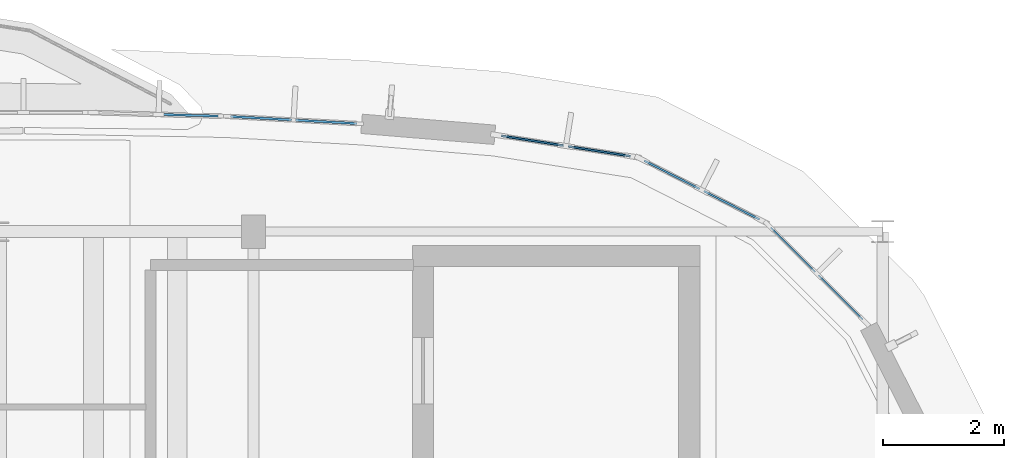
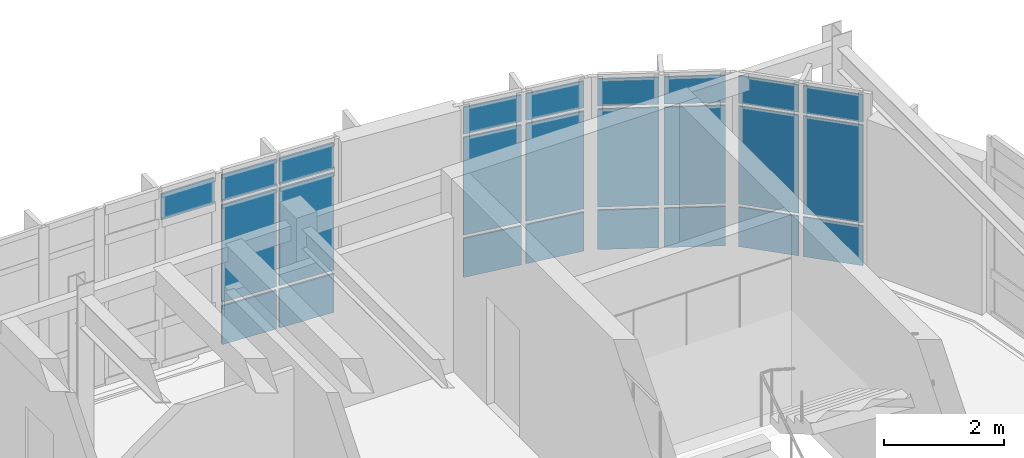
# One storey, part 75 of 105: 25 plates, 5 elements without a shape of their own.
"""IFC4 building model written with IfcOpenShell, lengths in metres."""

import ifcopenshell
import ifcopenshell.guid

model = None  # the IFC model being written
_history = None  # IfcOwnerHistory: only IFC2X3 demands one
_inside = {}  # id of a spatial element -> (the spatial element, [elements in it])
_under = {}  # id of a project, library or spatial element -> (it, [spatial elements below it])
_declared = {}  # id of a project -> (the project, [libraries it declares])
_typed = {}  # id of a type object -> (the type object, [elements of that type])
_made_of = {}  # id of a material, layer set ... -> (it, [elements and type objects made of it])


def new_model(schema):
    """Start an empty IFC model of exactly this schema.

    Asked for "IFC4X3", IfcOpenShell would pick the latest addendum, in which some entities
    have other attributes; the version numbers below select the first issue.
    IFC2X3 requires an IfcOwnerHistory on every rooted entity: one is made here for all.
    """
    global model, _history
    if schema == "IFC4X3":
        model = ifcopenshell.file(schema_version=(4, 3, 0, 0))
    else:
        model = ifcopenshell.file(schema=schema)
    _inside.clear()
    _under.clear()
    _declared.clear()
    _typed.clear()
    _made_of.clear()
    _history = None
    if model.schema == "IFC2X3":
        org = make("IfcOrganization", Name="unknown")
        user = make(
            "IfcPersonAndOrganization",
            ThePerson=make("IfcPerson", FamilyName="unknown"),
            TheOrganization=org,
        )
        app = make(
            "IfcApplication",
            ApplicationDeveloper=org,
            Version="unknown",
            ApplicationFullName="unknown",
            ApplicationIdentifier="unknown",
        )
        _history = make(
            "IfcOwnerHistory",
            OwningUser=user,
            OwningApplication=app,
            ChangeAction="ADDED",
            CreationDate=0,
        )
    return model


def make(cls, **values):
    """One entity of the class cls with the attributes given. An attribute that is None is left unset."""
    return model.create_entity(
        cls, **{name: value for name, value in values.items() if value is not None}
    )


def rooted(cls, **values):
    """An entity with a GlobalId (a new one), such as an element, a storey or a relation."""
    return make(cls, GlobalId=ifcopenshell.guid.new(), OwnerHistory=_history, **values)


def si_unit(unit_type, name, prefix=None):
    """IfcSIUnit, for example si_unit("LENGTHUNIT", "METRE", prefix="MILLI")."""
    return make("IfcSIUnit", UnitType=unit_type, Prefix=prefix, Name=name)


def assignment(units):
    """IfcUnitAssignment: the units of a project."""
    return None if units is None else make("IfcUnitAssignment", Units=units)


def point(xyz):
    """IfcCartesianPoint."""
    return None if xyz is None else make("IfcCartesianPoint", Coordinates=xyz)


def direction(xyz):
    """IfcDirection."""
    return None if xyz is None else make("IfcDirection", DirectionRatios=xyz)


def frame(location, z_axis=None, x_axis=None):
    """IfcAxis2Placement3D, a coordinate frame: its origin and axes. An axis left out is left unset."""
    return make(
        "IfcAxis2Placement3D",
        Location=point(location),
        Axis=direction(z_axis),
        RefDirection=direction(x_axis),
    )


def frame_2d(location, x_axis=None):
    """IfcAxis2Placement2D, a coordinate frame in the plane: its origin and x axis."""
    return make(
        "IfcAxis2Placement2D", Location=point(location), RefDirection=direction(x_axis)
    )


def origin():
    """The frame at (0, 0, 0) with its axes left unset."""
    return frame((0.0, 0.0, 0.0))


def origin_2d():
    """The frame at (0, 0) in the plane with its x axis left unset."""
    return frame_2d((0.0, 0.0))


def place(relative_to, where):
    """IfcLocalPlacement: puts the frame where relative to a parent placement (None: the world)."""
    return make(
        "IfcLocalPlacement", PlacementRelTo=relative_to, RelativePlacement=where
    )


def context(
    kind, dimensions, precision=None, world=None, true_north=None, identifier=None
):
    """IfcGeometricRepresentationContext, for example the 3D "Model" context."""
    return make(
        "IfcGeometricRepresentationContext",
        ContextIdentifier=identifier,
        ContextType=kind,
        CoordinateSpaceDimension=dimensions,
        Precision=precision,
        WorldCoordinateSystem=world,
        TrueNorth=true_north,
    )


def subcontext(parent, identifier, kind, view, scale=None):
    """IfcGeometricRepresentationSubContext, for example "Body" below "Model"."""
    return make(
        "IfcGeometricRepresentationSubContext",
        ContextIdentifier=identifier,
        ContextType=kind,
        ParentContext=parent,
        TargetScale=scale,
        TargetView=view,
    )


def project(units=None, contexts=None):
    """IfcProject with its units and contexts."""
    return rooted(
        "IfcProject",
        Name="project",
        RepresentationContexts=contexts,
        UnitsInContext=assignment(units),
    )


def spatial(cls, under=None, at=None, **own):
    """A site, building, storey or space (cls), placed at a placement, below another one or the project."""
    s = rooted(cls, ObjectPlacement=at, **own)
    if under is not None:
        _under.setdefault(under.id(), (under, []))[1].append(s)
    return s


def profile(cls, at=None, kind="AREA", **sizes):
    """A parametric profile (cls). Its sizes go by their IFC names, for example OverallWidth=200.0."""
    return make(cls, ProfileType=kind, Position=at, **sizes)


def rectangle(**sizes):
    """IfcRectangleProfileDef."""
    return profile("IfcRectangleProfileDef", **sizes)


def extrude(swept, where, along, depth):
    """IfcExtrudedAreaSolid: the profile swept, set in the frame where, extruded along a direction by depth."""
    return make(
        "IfcExtrudedAreaSolid",
        SweptArea=swept,
        Position=where,
        ExtrudedDirection=direction(along),
        Depth=depth,
    )


def shape(context_of_items, identifier, shape_type, items):
    """IfcShapeRepresentation: the items that make up one representation, for example the "Body"."""
    return make(
        "IfcShapeRepresentation",
        ContextOfItems=context_of_items,
        RepresentationIdentifier=identifier,
        RepresentationType=shape_type,
        Items=items,
    )


def material(Name=None, Category=None):
    """IfcMaterial."""
    return make("IfcMaterial", Name=Name, Category=Category)


def layer(
    of_material, thickness, ventilated=None, Name=None, Category=None, Priority=None
):
    """IfcMaterialLayer: one layer of a wall or slab, of a material (None: an air gap)."""
    return make(
        "IfcMaterialLayer",
        Material=of_material,
        LayerThickness=thickness,
        IsVentilated=ventilated,
        Name=Name,
        Category=Category,
        Priority=Priority,
    )


def layer_set(layers, Name=None):
    """IfcMaterialLayerSet."""
    return make("IfcMaterialLayerSet", MaterialLayers=layers, LayerSetName=Name)


def made_of(thing, what):
    """Note that an element or type object is made of a material, layer set ...; save() writes the relation."""
    if what is not None:
        _made_of.setdefault(what.id(), (what, []))[1].append(thing)
    return thing


def type_object(cls, material=None, **own):
    """A type object (cls), such as IfcWallType, which elements share."""
    return made_of(rooted(cls, **own), material)


def element(
    cls,
    number,
    at=None,
    inside=None,
    cuts=None,
    type_object=None,
    material=None,
    context=None,
    identifier="Body",
    shape_type=None,
    held_by="IfcProductDefinitionShape",
    body=None,
    shapes=None,
    **own,
):
    """One element of the class cls, such as IfcWall. Its Tag is "e" and its number.

    at: its placement. inside: the storey or other place that contains it. cuts: it is an
    opening in that element (IfcRelVoidsElement). A single representation is given by context,
    identifier, shape_type and body (its items); several are given by shapes. held_by: the class
    of the entity that holds the representations. save() writes the other relations.
    """
    e = rooted(cls, Tag="e%d" % number, ObjectPlacement=at, **own)
    if body is not None:
        shapes = [shape(context, identifier, shape_type, body)]
    if shapes is not None:
        e.Representation = make(held_by, Representations=shapes)
    if inside is not None:
        _inside.setdefault(inside.id(), (inside, []))[1].append(e)
    if cuts is not None:
        rooted(
            "IfcRelVoidsElement", RelatingBuildingElement=cuts, RelatedOpeningElement=e
        )
    if type_object is not None:
        _typed.setdefault(type_object.id(), (type_object, []))[1].append(e)
    return made_of(e, material)


def aggregate(whole, parts):
    """IfcRelAggregates: a whole, such as a stair, and the parts it consists of."""
    return rooted("IfcRelAggregates", RelatingObject=whole, RelatedObjects=parts)


def save(model, path):
    """Write the relations noted so far, then the file.

    IfcRelAggregates (storeys below a building ...), IfcRelContainedInSpatialStructure (elements
    in a storey), IfcRelDefinesByType, IfcRelAssociatesMaterial and IfcRelDeclares: one each for
    every whole, place, type object, material and project.
    """
    for whole, parts in _under.values():
        aggregate(whole, parts)
    for where, things in _inside.values():
        rooted(
            "IfcRelContainedInSpatialStructure",
            RelatedElements=things,
            RelatingStructure=where,
        )
    for kind, things in _typed.values():
        rooted("IfcRelDefinesByType", RelatedObjects=things, RelatingType=kind)
    for what, things in _made_of.values():
        rooted("IfcRelAssociatesMaterial", RelatedObjects=things, RelatingMaterial=what)
    for by, libraries in _declared.values():
        rooted("IfcRelDeclares", RelatingContext=by, RelatedDefinitions=libraries)
    model.write(path)


model = new_model("IFC4")

# Units and contexts
model_context = context("Model", 3, precision=1e-05, world=origin(), true_north=direction((0.0, 1.0)))
body_context = subcontext(model_context, "Body", "Model", "MODEL_VIEW")
ifc_project = project(units=[si_unit("LENGTHUNIT", "METRE"), si_unit("AREAUNIT", "SQUARE_METRE"), si_unit("VOLUMEUNIT", "CUBIC_METRE"), si_unit("PLANEANGLEUNIT", "RADIAN"), si_unit("MASSUNIT", "GRAM", prefix="KILO")], contexts=[model_context])

# Site, building, storey
site_placement = place(None, origin())
site = spatial("IfcSite", under=ifc_project, at=site_placement, CompositionType="ELEMENT")
building_placement = place(site_placement, origin())
building = spatial("IfcBuilding", under=site, at=building_placement, Name="Corveleigh Park Community Centre", CompositionType="ELEMENT")
storey_placement = place(building_placement, frame((0.0, 0.0, 8.699951171875)))
storey = spatial("IfcBuildingStorey", under=building, at=storey_placement, Name="L02", CompositionType="ELEMENT", Elevation=8.699951171875)

# Curtain wall, plates
ifc_material_1 = material(Name="Anodised aluminium 6063-T6", Category="aluminium")
curtain_wall_type = type_object("IfcCurtainWallType", Name="CW-SYS-V4-L01", PredefinedType="NOTDEFINED", material=ifc_material_1)
curtain_wall_1_placement = place(storey_placement, origin())
curtain_wall_1 = element("IfcCurtainWall", 1, at=curtain_wall_1_placement, inside=storey, type_object=curtain_wall_type, Name="V4 L02 Curtain Wall 376", PredefinedType="NOTDEFINED")
ifc_material_2 = material(Name="Low-E double glazing", Category="glass")
ifc_layer_1 = layer(ifc_material_2, 0.028076171875, Name="Low-E double glazing", Category="glass")
ifc_layer_set_1 = layer_set([ifc_layer_1], Name="Low-E double glazing")
plate_type_1 = type_object("IfcPlateType", Name="CWP-GLZ-28", PredefinedType="CURTAIN_PANEL", material=ifc_layer_set_1)
plate_1_placement = place(storey_placement, frame((166.914306640625, 103.90185546875, 0.06005859375), z_axis=(0.0, 0.0, 1.0), x_axis=(0.707106781187, -0.707106781187, 0.0)))
plate_1 = element("IfcPlate", 2, at=plate_1_placement, type_object=plate_type_1, Name="CW08 panel 1.1", PredefinedType="CURTAIN_PANEL", context=body_context, shape_type="SweptSolid", body=[
    extrude(rectangle(XDim=1.03857421875, YDim=0.028076171875, at=origin_2d()), origin(), (0.0, 0.0, 1.0), 0.81005859375),
])
plate_2_placement = place(storey_placement, frame((166.914306640625, 103.90185546875, 0.93017578125), z_axis=(0.0, 0.0, 1.0), x_axis=(0.707106781187, -0.707106781187, 0.0)))
plate_2 = element("IfcPlate", 3, at=plate_2_placement, type_object=plate_type_1, Name="CW08 panel 1.2", PredefinedType="CURTAIN_PANEL", context=body_context, shape_type="SweptSolid", body=[
    extrude(rectangle(XDim=1.03857421875, YDim=0.028076171875, at=origin_2d()), origin(), (0.0, 0.0, 1.0), 2.001953125),
])
plate_3_placement = place(storey_placement, frame((166.914306640625, 103.90185546875, 2.991943359375), z_axis=(0.0, 0.0, 1.0), x_axis=(0.707106781187, -0.707106781187, 0.0)))
plate_3 = element("IfcPlate", 4, at=plate_3_placement, type_object=plate_type_1, Name="CW08 panel 1.3", PredefinedType="CURTAIN_PANEL", context=body_context, shape_type="SweptSolid", body=[
    extrude(rectangle(XDim=1.03857421875, YDim=0.028076171875, at=origin_2d()), origin(), (0.0, 0.0, 1.0), 0.56005859375),
])
plate_4_placement = place(storey_placement, frame((167.70166015625, 103.1142578125, 0.06005859375), z_axis=(0.0, 0.0, 1.0), x_axis=(0.707106781187, -0.707106781187, 0.0)))
plate_4 = element("IfcPlate", 5, at=plate_4_placement, type_object=plate_type_1, Name="CW08 panel 2.1", PredefinedType="CURTAIN_PANEL", context=body_context, shape_type="SweptSolid", body=[
    extrude(rectangle(XDim=1.03857421875, YDim=0.028076171875, at=origin_2d()), origin(), (0.0, 0.0, 1.0), 0.81005859375),
])
plate_5_placement = place(storey_placement, frame((167.70166015625, 103.1142578125, 0.93017578125), z_axis=(0.0, 0.0, 1.0), x_axis=(0.707106781187, -0.707106781187, 0.0)))
plate_5 = element("IfcPlate", 6, at=plate_5_placement, type_object=plate_type_1, Name="CW08 panel 2.2", PredefinedType="CURTAIN_PANEL", context=body_context, shape_type="SweptSolid", body=[
    extrude(rectangle(XDim=1.03857421875, YDim=0.028076171875, at=origin_2d()), origin(), (0.0, 0.0, 1.0), 2.001953125),
])
plate_6_placement = place(storey_placement, frame((167.70166015625, 103.1142578125, 2.991943359375), z_axis=(0.0, 0.0, 1.0), x_axis=(0.707106781187, -0.707106781187, 0.0)))
plate_6 = element("IfcPlate", 7, at=plate_6_placement, type_object=plate_type_1, Name="CW08 panel 2.3", PredefinedType="CURTAIN_PANEL", context=body_context, shape_type="SweptSolid", body=[
    extrude(rectangle(XDim=1.03857421875, YDim=0.028076171875, at=origin_2d()), origin(), (0.0, 0.0, 1.0), 0.56005859375),
])
aggregate(curtain_wall_1, [plate_1, plate_2, plate_3, plate_4, plate_5, plate_6])

curtain_wall_2_placement = place(storey_placement, origin())
curtain_wall_2 = element("IfcCurtainWall", 8, at=curtain_wall_2_placement, inside=storey, type_object=curtain_wall_type, Name="V4 L02 Curtain Wall 377", PredefinedType="NOTDEFINED")
ifc_layer_2 = layer(ifc_material_2, 0.031982421875, Name="Low-E double glazing", Category="glass")
ifc_layer_set_2 = layer_set([ifc_layer_2], Name="Low-E double glazing")
plate_type_2 = type_object("IfcPlateType", Name="CWP-GLZ-32", PredefinedType="CURTAIN_PANEL", material=ifc_layer_set_2)
plate_7_placement = place(storey_placement, frame((164.913330078125, 105.140625, 0.06494140625), z_axis=(0.0, 0.0, 1.0), x_axis=(0.8909233869, -0.454153628935, 0.0)))
plate_7 = element("IfcPlate", 9, at=plate_7_placement, type_object=plate_type_2, Name="CW08 panel 1.1", PredefinedType="CURTAIN_PANEL", context=body_context, shape_type="SweptSolid", body=[
    extrude(rectangle(XDim=1.030517578125, YDim=0.031982421875, at=origin_2d()), origin(), (0.0, 0.0, 1.0), 0.802490234375),
])
plate_8_placement = place(storey_placement, frame((164.913330078125, 105.140625, 0.9326171875), z_axis=(0.0, 0.0, 1.0), x_axis=(0.8909233869, -0.454153628935, 0.0)))
plate_8 = element("IfcPlate", 10, at=plate_8_placement, type_object=plate_type_2, Name="CW08 panel 1.2", PredefinedType="CURTAIN_PANEL", context=body_context, shape_type="SweptSolid", body=[
    extrude(rectangle(XDim=1.030517578125, YDim=0.031982421875, at=origin_2d()), origin(), (0.0, 0.0, 1.0), 1.9970703125),
])
plate_9_placement = place(storey_placement, frame((164.913330078125, 105.140625, 2.99462890625), z_axis=(0.0, 0.0, 1.0), x_axis=(0.8909233869, -0.454153628935, 0.0)))
plate_9 = element("IfcPlate", 11, at=plate_9_placement, type_object=plate_type_2, Name="CW08 panel 1.3", PredefinedType="CURTAIN_PANEL", context=body_context, shape_type="SweptSolid", body=[
    extrude(rectangle(XDim=1.030517578125, YDim=0.031982421875, at=origin_2d()), origin(), (0.0, 0.0, 1.0), 0.552490234375),
])
plate_10_placement = place(storey_placement, frame((165.902587890625, 104.63623046875, 0.06494140625), z_axis=(0.0, 0.0, 1.0), x_axis=(0.8909233869, -0.454153628935, 0.0)))
plate_10 = element("IfcPlate", 12, at=plate_10_placement, type_object=plate_type_2, Name="CW08 panel 2.1", PredefinedType="CURTAIN_PANEL", context=body_context, shape_type="SweptSolid", body=[
    extrude(rectangle(XDim=1.030517578125, YDim=0.031982421875, at=origin_2d()), origin(), (0.0, 0.0, 1.0), 0.802490234375),
])
plate_11_placement = place(storey_placement, frame((165.902587890625, 104.63623046875, 0.9326171875), z_axis=(0.0, 0.0, 1.0), x_axis=(0.8909233869, -0.454153628935, 0.0)))
plate_11 = element("IfcPlate", 13, at=plate_11_placement, type_object=plate_type_2, Name="CW08 panel 2.2", PredefinedType="CURTAIN_PANEL", context=body_context, shape_type="SweptSolid", body=[
    extrude(rectangle(XDim=1.030517578125, YDim=0.031982421875, at=origin_2d()), origin(), (0.0, 0.0, 1.0), 1.9970703125),
])
plate_12_placement = place(storey_placement, frame((165.902587890625, 104.63623046875, 2.99462890625), z_axis=(0.0, 0.0, 1.0), x_axis=(0.8909233869, -0.454153628935, 0.0)))
plate_12 = element("IfcPlate", 14, at=plate_12_placement, type_object=plate_type_2, Name="CW08 panel 2.3", PredefinedType="CURTAIN_PANEL", context=body_context, shape_type="SweptSolid", body=[
    extrude(rectangle(XDim=1.030517578125, YDim=0.031982421875, at=origin_2d()), origin(), (0.0, 0.0, 1.0), 0.552490234375),
])
aggregate(curtain_wall_2, [plate_7, plate_8, plate_9, plate_10, plate_11, plate_12])

curtain_wall_3_placement = place(storey_placement, origin())
curtain_wall_3 = element("IfcCurtainWall", 15, at=curtain_wall_3_placement, inside=storey, type_object=curtain_wall_type, Name="V4 L02 Curtain Wall 378", PredefinedType="NOTDEFINED")
plate_13_placement = place(storey_placement, frame((162.6083984375, 105.70361328125, 0.070068359375), z_axis=(0.0, 0.0, 1.0), x_axis=(0.987686178507, -0.156448115315, 0.0)))
plate_13 = element("IfcPlate", 16, at=plate_13_placement, type_object=plate_type_2, Name="CW08 panel 1.1", PredefinedType="CURTAIN_PANEL", context=body_context, shape_type="SweptSolid", body=[
    extrude(rectangle(XDim=1.035888671875, YDim=0.031982421875, at=origin_2d()), origin(), (0.0, 0.0, 1.0), 0.794921875),
])
plate_14_placement = place(storey_placement, frame((162.6083984375, 105.70361328125, 0.93505859375), z_axis=(0.0, 0.0, 1.0), x_axis=(0.987686178507, -0.156448115315, 0.0)))
plate_14 = element("IfcPlate", 17, at=plate_14_placement, type_object=plate_type_2, Name="CW08 panel 1.2", PredefinedType="CURTAIN_PANEL", context=body_context, shape_type="SweptSolid", body=[
    extrude(rectangle(XDim=1.035888671875, YDim=0.031982421875, at=origin_2d()), origin(), (0.0, 0.0, 1.0), 1.991943359375),
])
plate_15_placement = place(storey_placement, frame((162.6083984375, 105.70361328125, 2.9970703125), z_axis=(0.0, 0.0, 1.0), x_axis=(0.987686178507, -0.156448115315, 0.0)))
plate_15 = element("IfcPlate", 18, at=plate_15_placement, type_object=plate_type_2, Name="CW08 panel 1.3", PredefinedType="CURTAIN_PANEL", context=body_context, shape_type="SweptSolid", body=[
    extrude(rectangle(XDim=1.035888671875, YDim=0.031982421875, at=origin_2d()), origin(), (0.0, 0.0, 1.0), 0.544921875),
])
plate_16_placement = place(storey_placement, frame((163.715576171875, 105.5283203125, 0.070068359375), z_axis=(0.0, 0.0, 1.0), x_axis=(0.987686178507, -0.156448115315, 0.0)))
plate_16 = element("IfcPlate", 19, at=plate_16_placement, type_object=plate_type_2, Name="CW08 panel 2.1", PredefinedType="CURTAIN_PANEL", context=body_context, shape_type="SweptSolid", body=[
    extrude(rectangle(XDim=1.035888671875, YDim=0.031982421875, at=origin_2d()), origin(), (0.0, 0.0, 1.0), 0.794921875),
])
plate_17_placement = place(storey_placement, frame((163.715576171875, 105.5283203125, 0.93505859375), z_axis=(0.0, 0.0, 1.0), x_axis=(0.987686178507, -0.156448115315, 0.0)))
plate_17 = element("IfcPlate", 20, at=plate_17_placement, type_object=plate_type_2, Name="CW08 panel 2.2", PredefinedType="CURTAIN_PANEL", context=body_context, shape_type="SweptSolid", body=[
    extrude(rectangle(XDim=1.035888671875, YDim=0.031982421875, at=origin_2d()), origin(), (0.0, 0.0, 1.0), 1.991943359375),
])
plate_18_placement = place(storey_placement, frame((163.715576171875, 105.5283203125, 2.9970703125), z_axis=(0.0, 0.0, 1.0), x_axis=(0.987686178507, -0.156448115315, 0.0)))
plate_18 = element("IfcPlate", 21, at=plate_18_placement, type_object=plate_type_2, Name="CW08 panel 2.3", PredefinedType="CURTAIN_PANEL", context=body_context, shape_type="SweptSolid", body=[
    extrude(rectangle(XDim=1.035888671875, YDim=0.031982421875, at=origin_2d()), origin(), (0.0, 0.0, 1.0), 0.544921875),
])
aggregate(curtain_wall_3, [plate_13, plate_14, plate_15, plate_16, plate_17, plate_18])

curtain_wall_4_placement = place(storey_placement, origin())
curtain_wall_4 = element("IfcCurtainWall", 22, at=curtain_wall_4_placement, inside=storey, type_object=curtain_wall_type, Name="V4 L02 Curtain Wall 379", PredefinedType="NOTDEFINED")
ifc_layer_3 = layer(ifc_material_2, 0.035888671875, Name="Low-E double glazing", Category="glass")
ifc_layer_set_3 = layer_set([ifc_layer_3], Name="Low-E double glazing")
plate_type_3 = type_object("IfcPlateType", Name="CWP-GLZ-36", PredefinedType="CURTAIN_PANEL", material=ifc_layer_set_3)
plate_19_placement = place(storey_placement, frame((158.123779296875, 106.075439453125, 0.074951171875), z_axis=(0.0, 0.0, 1.0), x_axis=(0.998456181902, -0.055545052181, 0.0)))
plate_19 = element("IfcPlate", 23, at=plate_19_placement, type_object=plate_type_3, Name="CW08 panel 1.1", PredefinedType="CURTAIN_PANEL", context=body_context, shape_type="SweptSolid", body=[
    extrude(rectangle(XDim=1.01708984375, YDim=0.035888671875, at=origin_2d()), origin(), (0.0, 0.0, 1.0), 0.78759765625),
])
plate_20_placement = place(storey_placement, frame((158.123779296875, 106.075439453125, 0.9375), z_axis=(0.0, 0.0, 1.0), x_axis=(0.998456181902, -0.055545052181, 0.0)))
plate_20 = element("IfcPlate", 24, at=plate_20_placement, type_object=plate_type_3, Name="CW08 panel 1.2", PredefinedType="CURTAIN_PANEL", context=body_context, shape_type="SweptSolid", body=[
    extrude(rectangle(XDim=1.01708984375, YDim=0.035888671875, at=origin_2d()), origin(), (0.0, 0.0, 1.0), 1.987060546875),
])
plate_21_placement = place(storey_placement, frame((158.123779296875, 106.075439453125, 2.99951171875), z_axis=(0.0, 0.0, 1.0), x_axis=(0.998456181902, -0.055545052181, 0.0)))
plate_21 = element("IfcPlate", 25, at=plate_21_placement, type_object=plate_type_3, Name="CW08 panel 1.3", PredefinedType="CURTAIN_PANEL", context=body_context, shape_type="SweptSolid", body=[
    extrude(rectangle(XDim=1.01708984375, YDim=0.035888671875, at=origin_2d()), origin(), (0.0, 0.0, 1.0), 0.53759765625),
])
plate_22_placement = place(storey_placement, frame((159.19921875, 106.015625, 0.074951171875), z_axis=(0.0, 0.0, 1.0), x_axis=(0.998456181902, -0.055545052181, 0.0)))
plate_22 = element("IfcPlate", 26, at=plate_22_placement, type_object=plate_type_3, Name="CW08 panel 2.1", PredefinedType="CURTAIN_PANEL", context=body_context, shape_type="SweptSolid", body=[
    extrude(rectangle(XDim=1.01708984375, YDim=0.035888671875, at=origin_2d()), origin(), (0.0, 0.0, 1.0), 0.78759765625),
])
plate_23_placement = place(storey_placement, frame((159.19921875, 106.015625, 0.9375), z_axis=(0.0, 0.0, 1.0), x_axis=(0.998456181902, -0.055545052181, 0.0)))
plate_23 = element("IfcPlate", 27, at=plate_23_placement, type_object=plate_type_3, Name="CW08 panel 2.2", PredefinedType="CURTAIN_PANEL", context=body_context, shape_type="SweptSolid", body=[
    extrude(rectangle(XDim=1.01708984375, YDim=0.035888671875, at=origin_2d()), origin(), (0.0, 0.0, 1.0), 1.987060546875),
])
plate_24_placement = place(storey_placement, frame((159.19921875, 106.015625, 2.99951171875), z_axis=(0.0, 0.0, 1.0), x_axis=(0.998456181902, -0.055545052181, 0.0)))
plate_24 = element("IfcPlate", 28, at=plate_24_placement, type_object=plate_type_3, Name="CW08 panel 2.3", PredefinedType="CURTAIN_PANEL", context=body_context, shape_type="SweptSolid", body=[
    extrude(rectangle(XDim=1.01708984375, YDim=0.035888671875, at=origin_2d()), origin(), (0.0, 0.0, 1.0), 0.53759765625),
])
aggregate(curtain_wall_4, [plate_19, plate_20, plate_21, plate_22, plate_23, plate_24])

# Curtain wall, plate
curtain_wall_5_placement = place(storey_placement, origin())
curtain_wall_5 = element("IfcCurtainWall", 29, at=curtain_wall_5_placement, inside=storey, type_object=curtain_wall_type, Name="V4 L02 Curtain Wall 380", PredefinedType="NOTDEFINED")
plate_25_placement = place(storey_placement, frame((156.968505859375, 106.123046875, 3.001953125), z_axis=(0.0, 0.0, 1.0), x_axis=(0.999607775259, -0.028005278833, 0.0)))
plate_25 = element("IfcPlate", 30, at=plate_25_placement, type_object=plate_type_3, Name="CW08 panel 2.3", PredefinedType="CURTAIN_PANEL", context=body_context, shape_type="SweptSolid", body=[
    extrude(rectangle(XDim=1.009521484375, YDim=0.035888671875, at=origin_2d()), origin(), (0.0, 0.0, 1.0), 0.530029296875),
])
aggregate(curtain_wall_5, [plate_25])

save(model, "model.ifc")
